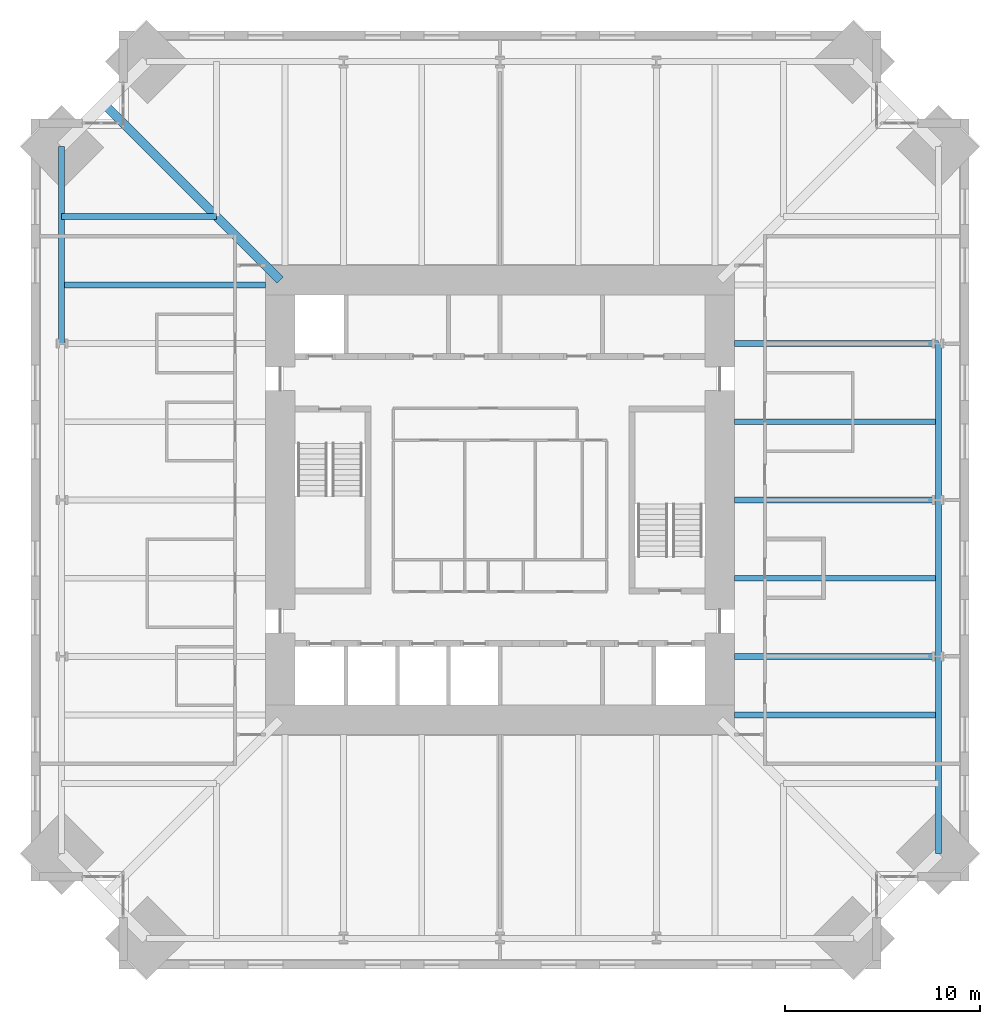
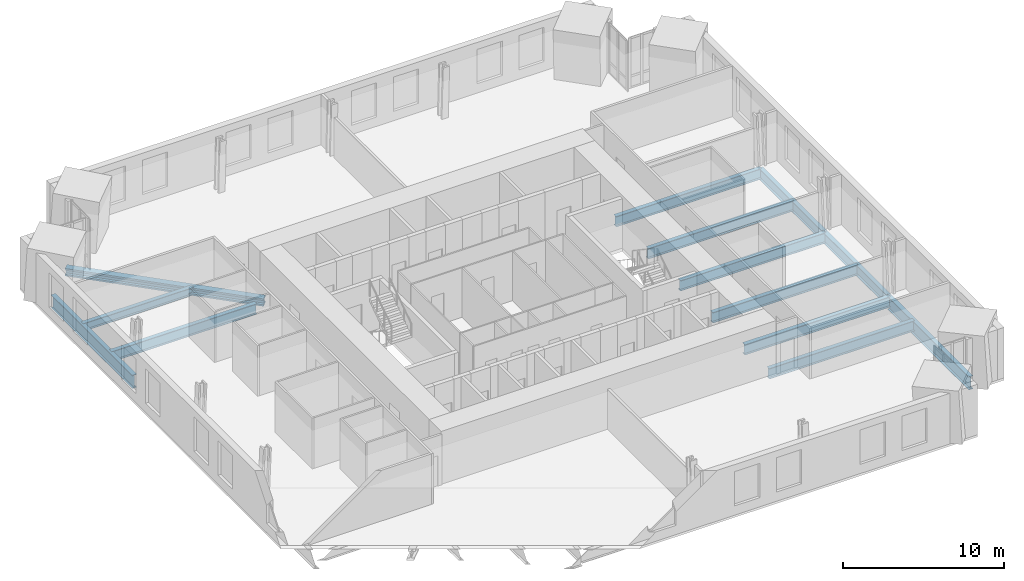
# One storey, part 5 of 15: 13 beams.
"""IFC4 building model written with IfcOpenShell, lengths in metres."""

from ifc_helpers import new_model, si_unit, direction, frame, origin, origin_2d, place, context, subcontext, project, spatial, i_section, extrude, material, material_profile, profile_set, type_object, element, save


model = new_model("IFC4")

# Units and contexts
model_context = context("Model", 3, precision=1e-05, world=origin(), true_north=direction((0.0, 1.0)))
body_context = subcontext(model_context, "Body", "Model", "MODEL_VIEW")
ifc_project = project(units=[si_unit("LENGTHUNIT", "METRE"), si_unit("AREAUNIT", "SQUARE_METRE"), si_unit("VOLUMEUNIT", "CUBIC_METRE"), si_unit("PLANEANGLEUNIT", "RADIAN"), si_unit("MASSUNIT", "GRAM", prefix="KILO")], contexts=[model_context])

# Site, building, storey
site_placement = place(None, origin())
site = spatial("IfcSite", under=ifc_project, at=site_placement, CompositionType="ELEMENT")
building_placement = place(site_placement, origin())
building = spatial("IfcBuilding", under=site, at=building_placement, Name="Peilmerk Tower", CompositionType="ELEMENT")
storey_placement = place(building_placement, frame((0.0, 0.0, 209.800048828125)))
storey = spatial("IfcBuildingStorey", under=building, at=storey_placement, Name="L45", CompositionType="ELEMENT", Elevation=209.800048828125)

# Beams
ifc_material_1 = material(Name="Steel S355", Category="steel")
ifc_material_profile_1 = material_profile(ifc_material_1, i_section(OverallWidth=0.302001953125, OverallDepth=1.008056640625, WebThickness=0.02099609375, FlangeThickness=0.0400390625, at=origin_2d()), Name="HEM 1000")
ifc_profile_set_1 = profile_set([ifc_material_profile_1], Name="Steel S355")
beam_type_1 = type_object("IfcBeamType", Name="B1 HEM 1000 edge beam", PredefinedType="SPANDREL", material=ifc_profile_set_1)
for number, where, z_axis, x_axis, name in (
    (1, (22.43701171875, -18.087158203125, -0.674072265625), (0.0, 1.0, 0.0), (-1.0, 0.0, 0.0), "Edge beam L45"),
    (2, (-22.43701171875, 18.087158203125, -0.674072265625), (0.0, -1.0, 0.0), (1.0, 0.0, 0.0), "Edge beam L45"),
):
    element("IfcBeam", number, at=place(storey_placement, frame(where, z_axis=z_axis, x_axis=x_axis)), inside=storey, type_object=beam_type_1, Name=name, PredefinedType="SPANDREL", context=body_context, shape_type="SweptSolid", body=[
        extrude(i_section(OverallWidth=0.302001953125, OverallDepth=1.008056640625, WebThickness=0.02099609375, FlangeThickness=0.0400390625, at=origin_2d()), origin(), (0.0, 0.0, 1.0), 10.087158203125),
    ])
ifc_material_profile_2 = material_profile(ifc_material_1, i_section(OverallWidth=0.302978515625, OverallDepth=0.81396484375, WebThickness=0.02099609375, FlangeThickness=0.0400390625, at=origin_2d()), Name="HEM 800")
ifc_profile_set_2 = profile_set([ifc_material_profile_2], Name="Steel S355")
beam_type_2 = type_object("IfcBeamType", Name="B15 HEM 800 edge beam", PredefinedType="SPANDREL", material=ifc_profile_set_2)
for number, where, z_axis, x_axis, name in (
    (3, (22.43701171875, -8.0, -0.5771484375), (0.0, 1.0, 0.0), (-1.0, 0.0, 0.0), "Edge beam L45"),
    (4, (22.43701171875, 0.0, -0.5771484375), (0.0, 1.0, 0.0), (-1.0, 0.0, 0.0), "Edge beam L45"),
):
    element("IfcBeam", number, at=place(storey_placement, frame(where, z_axis=z_axis, x_axis=x_axis)), inside=storey, type_object=beam_type_2, Name=name, PredefinedType="SPANDREL", context=body_context, shape_type="SweptSolid", body=[
        extrude(i_section(OverallWidth=0.302978515625, OverallDepth=0.81396484375, WebThickness=0.02099609375, FlangeThickness=0.0400390625, at=origin_2d()), origin(), (0.0, 0.0, 1.0), 8.0),
    ])
ifc_material_profile_3 = material_profile(ifc_material_1, i_section(OverallWidth=0.300048828125, OverallDepth=0.590087890625, WebThickness=0.012939453125, FlangeThickness=0.02490234375, at=origin_2d()), Name="HEA 600")
ifc_profile_set_3 = profile_set([ifc_material_profile_3], Name="Steel S355")
beam_type_3 = type_object("IfcBeamType", Name="B27 HEA 600 floor beam", PredefinedType="BEAM", material=ifc_profile_set_3)
beam_1_placement = place(storey_placement, frame((-14.5, 14.5, -0.465087890625), z_axis=(-1.0, 0.0, 0.0), x_axis=(0.0, -1.0, 0.0)))
element("IfcBeam", 5, at=beam_1_placement, inside=storey, type_object=beam_type_3, Name="Floor beam L45", PredefinedType="BEAM", context=body_context, shape_type="SweptSolid", body=[
    extrude(i_section(OverallWidth=0.300048828125, OverallDepth=0.590087890625, WebThickness=0.012939453125, FlangeThickness=0.02490234375, at=origin_2d()), origin(), (0.0, 0.0, 1.0), 7.93701171875),
])
ifc_material_profile_4 = material_profile(ifc_material_1, i_section(OverallWidth=0.300048828125, OverallDepth=0.7900390625, WebThickness=0.014892578125, FlangeThickness=0.028076171875, at=origin_2d()), Name="HEA 800")
ifc_profile_set_4 = profile_set([ifc_material_profile_4], Name="Steel S355")
beam_type_4 = type_object("IfcBeamType", Name="B3 HEA 800 floor beam", PredefinedType="BEAM", material=ifc_profile_set_4)
for number, where, z_axis, x_axis, name in (
    (6, (12.0, -11.0, -0.56494140625), (1.0, 0.0, 0.0), (0.0, 1.0, 0.0), "Floor beam L45"),
    (7, (12.0, -8.0, -0.56494140625), (1.0, 0.0, 0.0), (0.0, 1.0, 0.0), "Floor beam L45"),
    (8, (12.0, -4.0, -0.56494140625), (1.0, 0.0, 0.0), (0.0, 1.0, 0.0), "Floor beam L45"),
    (9, (12.0, 0.0, -0.56494140625), (1.0, 0.0, 0.0), (0.0, 1.0, 0.0), "Floor beam L45"),
    (10, (12.0, 4.0, -0.56494140625), (1.0, 0.0, 0.0), (0.0, 1.0, 0.0), "Floor beam L45"),
    (11, (12.0, 8.0, -0.56494140625), (1.0, 0.0, 0.0), (0.0, 1.0, 0.0), "Floor beam L45"),
    (12, (-12.0, 11.0, -0.56494140625), (-1.0, 0.0, 0.0), (0.0, -1.0, 0.0), "Floor beam L45"),
):
    element("IfcBeam", number, at=place(storey_placement, frame(where, z_axis=z_axis, x_axis=x_axis)), inside=storey, type_object=beam_type_4, Name=name, PredefinedType="BEAM", context=body_context, shape_type="SweptSolid", body=[
        extrude(i_section(OverallWidth=0.300048828125, OverallDepth=0.7900390625, WebThickness=0.014892578125, FlangeThickness=0.028076171875, at=origin_2d()), origin(), (0.0, 0.0, 1.0), 10.43701171875),
    ])
ifc_material_2 = material(Name="Steel S460", Category="steel")
ifc_material_profile_5 = material_profile(ifc_material_2, i_section(OverallWidth=0.4541015625, OverallDepth=0.569091796875, WebThickness=0.077880859375, FlangeThickness=0.125, at=origin_2d()), Name="HD 400x1086")
ifc_profile_set_5 = profile_set([ifc_material_profile_5], Name="Steel S460")
beam_type_5 = type_object("IfcBeamType", Name="B9 HD 400x1086 corner girder", PredefinedType="BEAM", material=ifc_profile_set_5)
beam_2_placement = place(storey_placement, frame((-11.25, 11.25, -0.45458984375), z_axis=(-0.707106781187, 0.707106781187, 0.0), x_axis=(-0.707106781187, -0.707106781187, 0.0)))
element("IfcBeam", 13, at=beam_2_placement, inside=storey, type_object=beam_type_5, Name="Corner girder L45", PredefinedType="BEAM", context=body_context, shape_type="SweptSolid", body=[
    extrude(i_section(OverallWidth=0.4541015625, OverallDepth=0.569091796875, WebThickness=0.077880859375, FlangeThickness=0.125, at=origin_2d()), origin(), (0.0, 0.0, 1.0), 12.7451171875),
])

save(model, "model.ifc")
